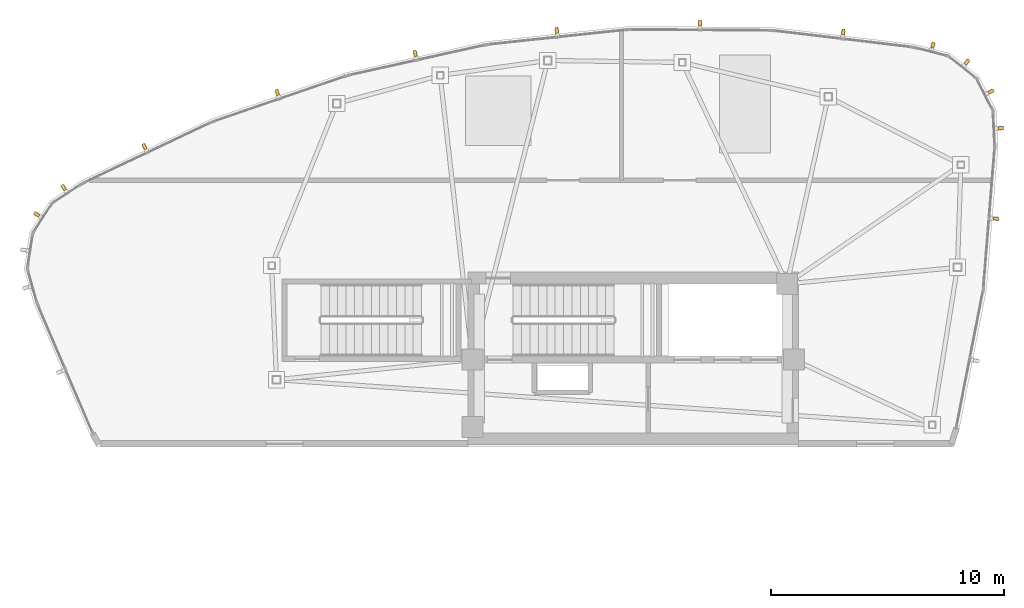
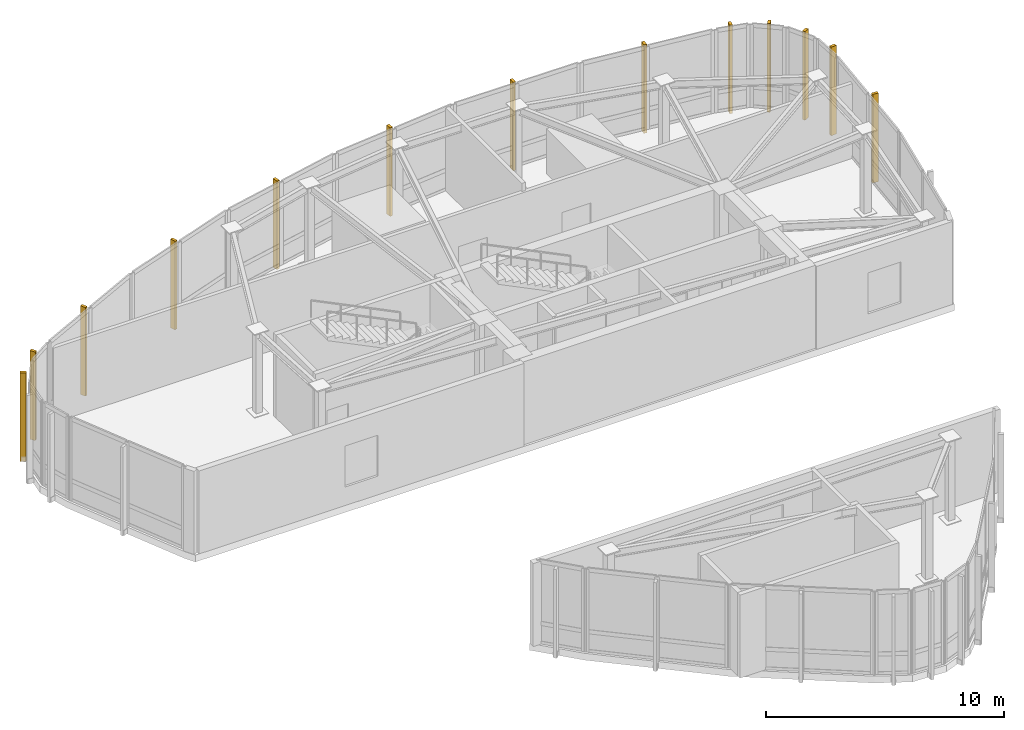
# One storey, part 14 of 15: 13 shading devices.
"""IFC4 building model written with IfcOpenShell, lengths in metres."""

from ifc_helpers import new_model, si_unit, direction, frame, origin, origin_2d, place, context, subcontext, project, spatial, rectangle, extrude, source, transform, mapped, material, type_object, type_shapes, element, save


model = new_model("IFC4")

# Units and contexts
model_context = context("Model", 3, precision=1e-05, world=origin(), true_north=direction((0.0, 1.0)))
body_context = subcontext(model_context, "Body", "Model", "MODEL_VIEW")
ifc_project = project(units=[si_unit("LENGTHUNIT", "METRE"), si_unit("AREAUNIT", "SQUARE_METRE"), si_unit("VOLUMEUNIT", "CUBIC_METRE"), si_unit("PLANEANGLEUNIT", "RADIAN"), si_unit("MASSUNIT", "GRAM", prefix="KILO")], contexts=[model_context])

# Site, building, storey
site_placement = place(None, origin())
site = spatial("IfcSite", under=ifc_project, at=site_placement, CompositionType="ELEMENT")
building_placement = place(site_placement, origin())
building = spatial("IfcBuilding", under=site, at=building_placement, Name="Tavelor Broadcast Tower", CompositionType="ELEMENT")
storey_placement = place(building_placement, frame((0.0, 0.0, 341.300048828125)))
storey = spatial("IfcBuildingStorey", under=building, at=storey_placement, Name="L81", CompositionType="ELEMENT", Elevation=341.300048828125)

# Shading devices
ifc_material = material(Name="Kiln-Fired Glazed Terracotta", Category="masonry")
shading_device_type = type_object("IfcShadingDeviceType", Name="Extruded Terracotta Corner Baguette 130x260", PredefinedType="JALOUSIE", material=ifc_material)
shared_shape = source(origin(), body_context, "Body", "SweptSolid", [
    extrude(rectangle(XDim=0.1298828125, YDim=0.260009765625, at=origin_2d()), origin(), (0.0, 0.0, 1.0), 4.5400390625),
])
type_shapes(shading_device_type, [shared_shape])
for number, where, z_axis, x_axis, name in (
    (1, (65.566650390625, 53.998291015625, -0.31005859375), (0.0, 0.0, 1.0), (0.080546860903, 0.996750823024, 0.0), "L81 Terracotta Baguette Fin 798"),
    (2, (65.77490234375, 57.881591796875, -0.31005859375), (0.0, 0.0, 1.0), (-0.049721373869, 0.998763127564, 0.0), "L81 Terracotta Baguette Fin 799"),
    (3, (65.352294921875, 59.4580078125, -0.31005859375), (0.0, 0.0, 1.0), (-0.4563215909, 0.889814927768, 0.0), "L81 Terracotta Baguette Fin 800"),
    (4, (64.318603515625, 60.720703125, -0.31005859375), (0.0, 0.0, 1.0), (-0.782064612424, 0.623197353969, 0.0), "L81 Terracotta Baguette Fin 801"),
    (5, (62.85693359375, 61.4462890625, -0.31005859375), (0.0, 0.0, 1.0), (-0.969230909707, 0.246153293029, 0.0), "L81 Terracotta Baguette Fin 802"),
    (6, (59.00927734375, 62.010009765625, -0.31005859375), (0.0, 0.0, 1.0), (-0.993006778393, 0.11805735075, 0.0), "L81 Terracotta Baguette Fin 803"),
    (7, (52.866943359375, 62.392578125, -0.31005859375), (0.0, 0.0, 1.0), (-0.999981342241, 0.006108614391, 0.0), "L81 Terracotta Baguette Fin 804"),
    (8, (46.720458984375, 62.084716796875, -0.31005859375), (0.0, 0.0, 1.0), (-0.994374976712, -0.105916975449, 0.0), "L81 Terracotta Baguette Fin 805"),
    (9, (40.64697265625, 61.090087890625, -0.31005859375), (0.0, 0.0, 1.0), (-0.976220395964, -0.216780392341, 0.0), "L81 Terracotta Baguette Fin 806"),
    (10, (34.723388671875, 59.42138671875, -0.31005859375), (0.0, 0.0, 1.0), (-0.945802327348, -0.324742909981, 0.0), "L81 Terracotta Baguette Fin 807"),
    (11, (29.023681640625, 57.099609375, -0.31005859375), (0.0, 0.0, 1.0), (-0.903484964433, -0.428619783775, 0.0), "L81 Terracotta Baguette Fin 808"),
    (12, (25.556884765625, 55.33837890625, -0.31005859375), (0.0, 0.0, 1.0), (-0.840093553899, -0.542441536663, 0.0), "L81 Terracotta Baguette Fin 809"),
    (13, (24.40283203125, 54.184326171875, -0.31005859375), (0.0, 0.0, 1.0), (-0.542441536663, -0.840093553899, 0.0), "L81 Terracotta Baguette Fin 810"),
):
    element("IfcShadingDevice", number, at=place(storey_placement, frame(where, z_axis=z_axis, x_axis=x_axis)), inside=storey, type_object=shading_device_type, Name=name, PredefinedType="JALOUSIE", context=body_context, shape_type="MappedRepresentation", body=[
        mapped(shared_shape, transform((0.0, 0.0, 0.0), scale=1.0)),
    ])

save(model, "model.ifc")
